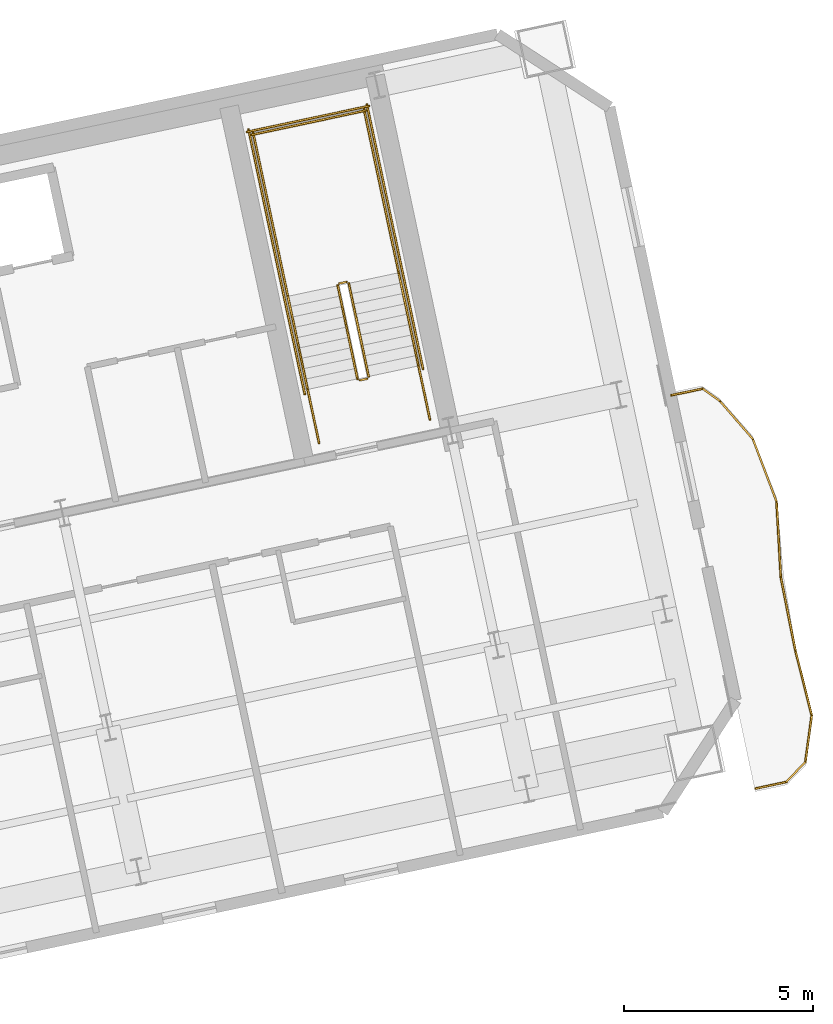
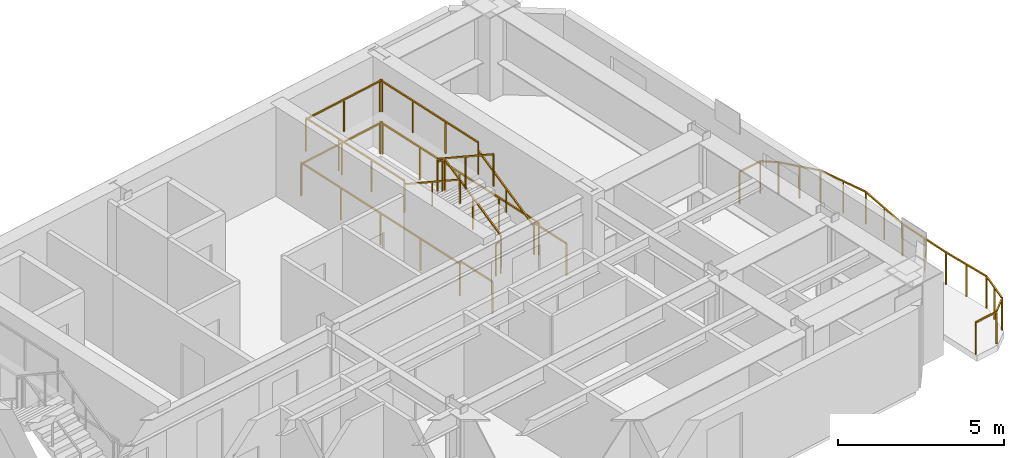
# One storey, part 15 of 15: 24 railings.
"""IFC4 building model written with IfcOpenShell, lengths in metres."""

from ifc_helpers import new_model, si_unit, direction, frame, origin, origin_2d, place, context, subcontext, project, spatial, rectangle, extrude, material, type_object, element, save


model = new_model("IFC4")

# Units and contexts
model_context = context("Model", 3, precision=1e-05, world=origin(), true_north=direction((0.0, 1.0)))
body_context = subcontext(model_context, "Body", "Model", "MODEL_VIEW")
ifc_project = project(units=[si_unit("LENGTHUNIT", "METRE"), si_unit("AREAUNIT", "SQUARE_METRE"), si_unit("VOLUMEUNIT", "CUBIC_METRE"), si_unit("PLANEANGLEUNIT", "RADIAN"), si_unit("MASSUNIT", "GRAM", prefix="KILO")], contexts=[model_context])

# Site, building, storey
site_placement = place(None, origin())
site = spatial("IfcSite", under=ifc_project, at=site_placement, CompositionType="ELEMENT")
building_placement = place(site_placement, origin())
building = spatial("IfcBuilding", under=site, at=building_placement, Name="Haevon Station Towers", CompositionType="ELEMENT")
storey_placement = place(building_placement, frame((0.0, 0.0, 152.699951171875)))
storey = spatial("IfcBuildingStorey", under=building, at=storey_placement, Name="L41", CompositionType="ELEMENT", Elevation=152.699951171875)

# Railings
ifc_material = material(Name="Steel S355", Category="steel")
railing_type_1 = type_object("IfcRailingType", Name="GRD-EXT1200", PredefinedType="GUARDRAIL", material=ifc_material)
railing_1_placement = place(storey_placement, frame((127.363525390625, 32.332275390625, 0.0)))
element("IfcRailing", 1, at=railing_1_placement, inside=storey, type_object=railing_type_1, Name="L41 Perimeter Guardrail 1", PredefinedType="GUARDRAIL", context=body_context, shape_type="SweptSolid", body=[
    extrude(rectangle(XDim=0.048095703125, YDim=0.048095703125, at=origin_2d()), frame((0.0, 0.0, 1.17578125), z_axis=(0.977691431104, 0.210046341426, 0.0), x_axis=(-0.210046341426, 0.977691431104, 0.0)), (0.0, 0.0, 1.0), 0.838134765625),
    extrude(rectangle(XDim=0.0419921875, YDim=0.0419921875, at=origin_2d()), origin(), (0.0, 0.0, 1.0), 1.15185546875),
    extrude(rectangle(XDim=0.0419921875, YDim=0.0419921875, at=origin_2d()), frame((0.8193359375, 0.176025390625, 0.0)), (0.0, 0.0, 1.0), 1.15185546875),
])
railing_2_placement = place(storey_placement, frame((128.182861328125, 32.50830078125, 0.0)))
element("IfcRailing", 2, at=railing_2_placement, inside=storey, type_object=railing_type_1, Name="L41 Perimeter Guardrail 2", PredefinedType="GUARDRAIL", context=body_context, shape_type="SweptSolid", body=[
    extrude(rectangle(XDim=0.048095703125, YDim=0.048095703125, at=origin_2d()), frame((0.0, 0.0, 1.17578125), z_axis=(0.691397132997, 0.722474916162, 0.0), x_axis=(-0.722474916162, 0.691397132997, 0.0)), (0.0, 0.0, 1.0), 0.73046875),
    extrude(rectangle(XDim=0.0419921875, YDim=0.0419921875, at=origin_2d()), origin(), (0.0, 0.0, 1.0), 1.15185546875),
    extrude(rectangle(XDim=0.0419921875, YDim=0.0419921875, at=origin_2d()), frame((0.505126953125, 0.52783203125, 0.0)), (0.0, 0.0, 1.0), 1.15185546875),
])
railing_3_placement = place(storey_placement, frame((128.68798828125, 33.0361328125, 0.0)))
element("IfcRailing", 3, at=railing_3_placement, inside=storey, type_object=railing_type_1, Name="L41 Perimeter Guardrail 3", PredefinedType="GUARDRAIL", context=body_context, shape_type="SweptSolid", body=[
    extrude(rectangle(XDim=0.048095703125, YDim=0.048095703125, at=origin_2d()), frame((0.0, 0.0, 1.17578125), z_axis=(0.134402916538, 0.990926766228, 0.0), x_axis=(-0.990926766228, 0.134402916538, 0.0)), (0.0, 0.0, 1.0), 1.242431640625),
    extrude(rectangle(XDim=0.0419921875, YDim=0.0419921875, at=origin_2d()), origin(), (0.0, 0.0, 1.0), 1.15185546875),
    extrude(rectangle(XDim=0.0419921875, YDim=0.0419921875, at=origin_2d()), frame((0.08349609375, 0.61572265625, 0.0)), (0.0, 0.0, 1.0), 1.15185546875),
    extrude(rectangle(XDim=0.0419921875, YDim=0.0419921875, at=origin_2d()), frame((0.1669921875, 1.231201171875, 0.0)), (0.0, 0.0, 1.0), 1.15185546875),
])
railing_4_placement = place(storey_placement, frame((128.85498046875, 34.267333984375, 0.0)))
element("IfcRailing", 4, at=railing_4_placement, inside=storey, type_object=railing_type_1, Name="L41 Perimeter Guardrail 4", PredefinedType="GUARDRAIL", context=body_context, shape_type="SweptSolid", body=[
    extrude(rectangle(XDim=0.048095703125, YDim=0.048095703125, at=origin_2d()), frame((0.0, 0.0, 1.17578125), z_axis=(-0.243814635362, 0.969821851467, 0.0), x_axis=(-0.969821851467, -0.243814635362, 0.0)), (0.0, 0.0, 1.0), 1.751220703125),
    extrude(rectangle(XDim=0.0419921875, YDim=0.0419921875, at=origin_2d()), origin(), (0.0, 0.0, 1.0), 1.15185546875),
    extrude(rectangle(XDim=0.0419921875, YDim=0.0419921875, at=origin_2d()), frame((-0.21337890625, 0.84912109375, 0.0)), (0.0, 0.0, 1.0), 1.15185546875),
    extrude(rectangle(XDim=0.0419921875, YDim=0.0419921875, at=origin_2d()), frame((-0.427001953125, 1.698486328125, 0.0)), (0.0, 0.0, 1.0), 1.15185546875),
])
railing_5_placement = place(storey_placement, frame((128.427978515625, 35.9658203125, 0.0)))
element("IfcRailing", 5, at=railing_5_placement, inside=storey, type_object=railing_type_1, Name="L41 Perimeter Guardrail 5", PredefinedType="GUARDRAIL", context=body_context, shape_type="SweptSolid", body=[
    extrude(rectangle(XDim=0.048095703125, YDim=0.048095703125, at=origin_2d()), frame((0.0, 0.0, 1.17578125), z_axis=(-0.195360913035, 0.980731417697, 0.0), x_axis=(-0.980731417697, -0.195360913035, 0.0)), (0.0, 0.0, 1.0), 1.989501953125),
    extrude(rectangle(XDim=0.0419921875, YDim=0.0419921875, at=origin_2d()), origin(), (0.0, 0.0, 1.0), 1.15185546875),
    extrude(rectangle(XDim=0.0419921875, YDim=0.0419921875, at=origin_2d()), frame((-0.1943359375, 0.9755859375, 0.0)), (0.0, 0.0, 1.0), 1.15185546875),
    extrude(rectangle(XDim=0.0419921875, YDim=0.0419921875, at=origin_2d()), frame((-0.388671875, 1.951171875, 0.0)), (0.0, 0.0, 1.0), 1.15185546875),
])
railing_6_placement = place(storey_placement, frame((128.039306640625, 37.9169921875, 0.0)))
element("IfcRailing", 6, at=railing_6_placement, inside=storey, type_object=railing_type_1, Name="L41 Perimeter Guardrail 6", PredefinedType="GUARDRAIL", context=body_context, shape_type="SweptSolid", body=[
    extrude(rectangle(XDim=0.048095703125, YDim=0.048095703125, at=origin_2d()), frame((0.0, 0.0, 1.17578125), z_axis=(-0.056904973514, 0.998379599145, 0.0), x_axis=(-0.998379599145, -0.056904973514, 0.0)), (0.0, 0.0, 1.0), 2.016357421875),
    extrude(rectangle(XDim=0.0419921875, YDim=0.0419921875, at=origin_2d()), origin(), (0.0, 0.0, 1.0), 1.15185546875),
    extrude(rectangle(XDim=0.0419921875, YDim=0.0419921875, at=origin_2d()), frame((-0.057373046875, 1.006591796875, 0.0)), (0.0, 0.0, 1.0), 1.15185546875),
    extrude(rectangle(XDim=0.0419921875, YDim=0.0419921875, at=origin_2d()), frame((-0.11474609375, 2.01318359375, 0.0)), (0.0, 0.0, 1.0), 1.15185546875),
])
railing_7_placement = place(storey_placement, frame((127.924560546875, 39.93017578125, 0.0)))
element("IfcRailing", 7, at=railing_7_placement, inside=storey, type_object=railing_type_1, Name="L41 Perimeter Guardrail 7", PredefinedType="GUARDRAIL", context=body_context, shape_type="SweptSolid", body=[
    extrude(rectangle(XDim=0.048095703125, YDim=0.048095703125, at=origin_2d()), frame((0.0, 0.0, 1.17578125), z_axis=(-0.353500001833, 0.935434524007, 0.0), x_axis=(-0.935434524007, -0.353500001833, 0.0)), (0.0, 0.0, 1.0), 1.7666015625),
    extrude(rectangle(XDim=0.0419921875, YDim=0.0419921875, at=origin_2d()), origin(), (0.0, 0.0, 1.0), 1.15185546875),
    extrude(rectangle(XDim=0.0419921875, YDim=0.0419921875, at=origin_2d()), frame((-0.312255859375, 0.826171875, 0.0)), (0.0, 0.0, 1.0), 1.15185546875),
    extrude(rectangle(XDim=0.0419921875, YDim=0.0419921875, at=origin_2d()), frame((-0.62451171875, 1.652587890625, 0.0)), (0.0, 0.0, 1.0), 1.15185546875),
])
railing_8_placement = place(storey_placement, frame((127.300048828125, 41.582763671875, 0.0)))
element("IfcRailing", 8, at=railing_8_placement, inside=storey, type_object=railing_type_1, Name="L41 Perimeter Guardrail 8", PredefinedType="GUARDRAIL", context=body_context, shape_type="SweptSolid", body=[
    extrude(rectangle(XDim=0.048095703125, YDim=0.048095703125, at=origin_2d()), frame((0.0, 0.0, 1.17578125), z_axis=(-0.654965324593, 0.755658933369, 0.0), x_axis=(-0.755658933369, -0.654965324593, 0.0)), (0.0, 0.0, 1.0), 1.3359375),
    extrude(rectangle(XDim=0.0419921875, YDim=0.0419921875, at=origin_2d()), origin(), (0.0, 0.0, 1.0), 1.15185546875),
    extrude(rectangle(XDim=0.0419921875, YDim=0.0419921875, at=origin_2d()), frame((-0.4375, 0.5048828125, 0.0)), (0.0, 0.0, 1.0), 1.15185546875),
    extrude(rectangle(XDim=0.0419921875, YDim=0.0419921875, at=origin_2d()), frame((-0.875, 1.009521484375, 0.0)), (0.0, 0.0, 1.0), 1.15185546875),
])
railing_9_placement = place(storey_placement, frame((126.425048828125, 42.59228515625, 0.0)))
element("IfcRailing", 9, at=railing_9_placement, inside=storey, type_object=railing_type_1, Name="L41 Perimeter Guardrail 9", PredefinedType="GUARDRAIL", context=body_context, shape_type="SweptSolid", body=[
    extrude(rectangle(XDim=0.048095703125, YDim=0.048095703125, at=origin_2d()), frame((0.0, 0.0, 1.17578125), z_axis=(-0.814353577604, 0.580369064168, 0.0), x_axis=(-0.580369064168, -0.814353577604, 0.0)), (0.0, 0.0, 1.0), 0.55810546875),
    extrude(rectangle(XDim=0.0419921875, YDim=0.0419921875, at=origin_2d()), origin(), (0.0, 0.0, 1.0), 1.15185546875),
    extrude(rectangle(XDim=0.0419921875, YDim=0.0419921875, at=origin_2d()), frame((-0.45458984375, 0.323974609375, 0.0)), (0.0, 0.0, 1.0), 1.15185546875),
])
railing_10_placement = place(storey_placement, frame((125.970458984375, 42.916259765625, 0.0)))
element("IfcRailing", 10, at=railing_10_placement, inside=storey, type_object=railing_type_1, Name="L41 Perimeter Guardrail 10", PredefinedType="GUARDRAIL", context=body_context, shape_type="SweptSolid", body=[
    extrude(rectangle(XDim=0.048095703125, YDim=0.048095703125, at=origin_2d()), frame((0.0, 0.0, 1.17578125), z_axis=(-0.978617737227, -0.20568744343, 0.0), x_axis=(0.20568744343, -0.978617737227, 0.0)), (0.0, 0.0, 1.0), 0.837890625),
    extrude(rectangle(XDim=0.0419921875, YDim=0.0419921875, at=origin_2d()), origin(), (0.0, 0.0, 1.0), 1.15185546875),
    extrude(rectangle(XDim=0.0419921875, YDim=0.0419921875, at=origin_2d()), frame((-0.820068359375, -0.17236328125, 0.0)), (0.0, 0.0, 1.0), 1.15185546875),
])
railing_type_2 = type_object("IfcRailingType", Name="GRD-STR1200", PredefinedType="GUARDRAIL", material=ifc_material)
railing_11_placement = place(storey_placement, frame((117.128662109375, 43.23974609375, 0.1650390625)))
element("IfcRailing", 11, at=railing_11_placement, inside=storey, type_object=railing_type_2, Name="L41 ST4 Stair Guard 1", PredefinedType="GUARDRAIL", context=body_context, shape_type="SweptSolid", body=[
    extrude(rectangle(XDim=0.048095703125, YDim=0.048095703125, at=origin_2d()), frame((0.0, 0.0, 1.17578125), z_axis=(-0.179121265225, 0.842687928106, 0.507732831485), x_axis=(-0.978147030254, -0.207914374695, 0.0)), (0.0, 0.0, 1.0), 2.925048828125),
    extrude(rectangle(XDim=0.0419921875, YDim=0.0419921875, at=origin_2d()), origin(), (0.0, 0.0, 1.0), 1.15185546875),
    extrude(rectangle(XDim=0.0419921875, YDim=0.0419921875, at=origin_2d()), frame((-0.261962890625, 1.232421875, 0.74267578125)), (0.0, 0.0, 1.0), 1.15185546875),
    extrude(rectangle(XDim=0.0419921875, YDim=0.0419921875, at=origin_2d()), frame((-0.52392578125, 2.46484375, 1.485107421875)), (0.0, 0.0, 1.0), 1.15185546875),
])
railing_12_placement = place(storey_placement, frame((116.54541015625, 45.7431640625, 1.650146484375)))
element("IfcRailing", 12, at=railing_12_placement, inside=storey, type_object=railing_type_2, Name="L41 ST4 Stair Guard 2", PredefinedType="GUARDRAIL", context=body_context, shape_type="SweptSolid", body=[
    extrude(rectangle(XDim=0.048095703125, YDim=0.048095703125, at=origin_2d()), frame((0.0, 0.0, 1.17578125), z_axis=(-0.97826412705, -0.207362720198, 0.0), x_axis=(0.207362720198, -0.97826412705, 0.0)), (0.0, 0.0, 1.0), 0.2001953125),
    extrude(rectangle(XDim=0.0419921875, YDim=0.0419921875, at=origin_2d()), origin(), (0.0, 0.0, 1.0), 1.15185546875),
    extrude(rectangle(XDim=0.0419921875, YDim=0.0419921875, at=origin_2d()), frame((-0.19580078125, -0.04150390625, 0.0)), (0.0, 0.0, 1.0), 1.15185546875),
])
railing_13_placement = place(storey_placement, frame((117.925048828125, 45.9853515625, 1.650146484375)))
element("IfcRailing", 13, at=railing_13_placement, inside=storey, type_object=railing_type_2, Name="L41 ST4 Stair Guard 3", PredefinedType="GUARDRAIL", context=body_context, shape_type="SweptSolid", body=[
    extrude(rectangle(XDim=0.048095703125, YDim=0.048095703125, at=origin_2d()), frame((0.0, 0.0, 1.17578125), z_axis=(-0.207876551949, 0.978155069071, 0.0), x_axis=(-0.978155069071, -0.207876551949, 0.0)), (0.0, 0.0, 1.0), 4.429931640625),
    extrude(rectangle(XDim=0.0419921875, YDim=0.0419921875, at=origin_2d()), origin(), (0.0, 0.0, 1.0), 1.15185546875),
    extrude(rectangle(XDim=0.0419921875, YDim=0.0419921875, at=origin_2d()), frame((-0.306884765625, 1.4443359375, 0.0)), (0.0, 0.0, 1.0), 1.15185546875),
    extrude(rectangle(XDim=0.0419921875, YDim=0.0419921875, at=origin_2d()), frame((-0.614013671875, 2.888916015625, 0.0)), (0.0, 0.0, 1.0), 1.15185546875),
    extrude(rectangle(XDim=0.0419921875, YDim=0.0419921875, at=origin_2d()), frame((-0.9208984375, 4.333251953125, 0.0)), (0.0, 0.0, 1.0), 1.15185546875),
])
railing_14_placement = place(storey_placement, frame((114.99072265625, 45.361572265625, 1.650146484375)))
element("IfcRailing", 14, at=railing_14_placement, inside=storey, type_object=railing_type_2, Name="L41 ST4 Stair Guard 4", PredefinedType="GUARDRAIL", context=body_context, shape_type="SweptSolid", body=[
    extrude(rectangle(XDim=0.048095703125, YDim=0.048095703125, at=origin_2d()), frame((0.0, 0.0, 1.17578125), z_axis=(-0.207929280007, 0.978143861871, 0.0), x_axis=(-0.978143861871, -0.207929280007, 0.0)), (0.0, 0.0, 1.0), 4.43017578125),
    extrude(rectangle(XDim=0.0419921875, YDim=0.0419921875, at=origin_2d()), origin(), (0.0, 0.0, 1.0), 1.15185546875),
    extrude(rectangle(XDim=0.0419921875, YDim=0.0419921875, at=origin_2d()), frame((-0.30712890625, 1.4443359375, 0.0)), (0.0, 0.0, 1.0), 1.15185546875),
    extrude(rectangle(XDim=0.0419921875, YDim=0.0419921875, at=origin_2d()), frame((-0.614013671875, 2.888916015625, 0.0)), (0.0, 0.0, 1.0), 1.15185546875),
    extrude(rectangle(XDim=0.0419921875, YDim=0.0419921875, at=origin_2d()), frame((-0.921142578125, 4.333251953125, 0.0)), (0.0, 0.0, 1.0), 1.15185546875),
])
railing_15_placement = place(storey_placement, frame((117.0634765625, 50.280029296875, 1.650146484375)))
element("IfcRailing", 15, at=railing_15_placement, inside=storey, type_object=railing_type_2, Name="L41 ST4 Stair Guard 5", PredefinedType="GUARDRAIL", context=body_context, shape_type="SweptSolid", body=[
    extrude(rectangle(XDim=0.048095703125, YDim=0.048095703125, at=origin_2d()), frame((0.0, 0.0, 1.17578125), z_axis=(-0.978146839882, -0.207915270313, 0.0), x_axis=(0.207915270313, -0.978146839882, 0.0)), (0.0, 0.0, 1.0), 3.099853515625),
    extrude(rectangle(XDim=0.0419921875, YDim=0.0419921875, at=origin_2d()), origin(), (0.0, 0.0, 1.0), 1.15185546875),
    extrude(rectangle(XDim=0.0419921875, YDim=0.0419921875, at=origin_2d()), frame((-1.51611328125, -0.322265625, 0.0)), (0.0, 0.0, 1.0), 1.15185546875),
    extrude(rectangle(XDim=0.0419921875, YDim=0.0419921875, at=origin_2d()), frame((-3.0322265625, -0.64453125, 0.0)), (0.0, 0.0, 1.0), 1.15185546875),
])
railing_16_placement = place(storey_placement, frame((116.311279296875, 45.642333984375, 1.81494140625)))
element("IfcRailing", 16, at=railing_16_placement, inside=storey, type_object=railing_type_2, Name="L41 ST4 Stair Guard 6", PredefinedType="GUARDRAIL", context=body_context, shape_type="SweptSolid", body=[
    extrude(rectangle(XDim=0.048095703125, YDim=0.048095703125, at=origin_2d()), frame((0.0, 0.0, 1.17578125), z_axis=(0.179108667068, -0.842712120868, 0.50769712105), x_axis=(0.978151217824, 0.207894673017, 0.0)), (0.0, 0.0, 1.0), 2.92529296875),
    extrude(rectangle(XDim=0.0419921875, YDim=0.0419921875, at=origin_2d()), origin(), (0.0, 0.0, 1.0), 1.15185546875),
    extrude(rectangle(XDim=0.0419921875, YDim=0.0419921875, at=origin_2d()), frame((0.261962890625, -1.232421875, 0.74267578125)), (0.0, 0.0, 1.0), 1.15185546875),
    extrude(rectangle(XDim=0.0419921875, YDim=0.0419921875, at=origin_2d()), frame((0.52392578125, -2.465087890625, 1.485107421875)), (0.0, 0.0, 1.0), 1.15185546875),
])
railing_17_placement = place(storey_placement, frame((117.090087890625, 43.180419921875, 0.0)))
element("IfcRailing", 17, at=railing_17_placement, inside=storey, type_object=railing_type_2, Name="L41 ST4 Stair Guard 7", PredefinedType="GUARDRAIL", context=body_context, shape_type="SweptSolid", body=[
    extrude(rectangle(XDim=0.048095703125, YDim=0.048095703125, at=origin_2d()), frame((0.0, 0.0, 1.17578125), z_axis=(-0.978211583308, -0.207610448392, 0.0), x_axis=(0.207610448392, -0.978211583308, 0.0)), (0.0, 0.0, 1.0), 0.199951171875),
    extrude(rectangle(XDim=0.0419921875, YDim=0.0419921875, at=origin_2d()), origin(), (0.0, 0.0, 1.0), 1.15185546875),
    extrude(rectangle(XDim=0.0419921875, YDim=0.0419921875, at=origin_2d()), frame((-0.195556640625, -0.04150390625, 0.0)), (0.0, 0.0, 1.0), 1.15185546875),
])
for number, where, name in (
    (18, (118.75048828125, 42.10205078125, 0.0), "L41 ST4 Stair Guard 8"),
    (19, (115.816162109375, 41.478271484375, 0.0), "L41 ST4 Stair Guard 9"),
):
    element("IfcRailing", number, at=place(storey_placement, frame(where)), inside=storey, type_object=railing_type_2, Name=name, PredefinedType="GUARDRAIL", context=body_context, shape_type="SweptSolid", body=[
        extrude(rectangle(XDim=0.048095703125, YDim=0.048095703125, at=origin_2d()), frame((0.0, 0.0, 1.17578125), z_axis=(-0.207919161079, 0.978146012851, 0.0), x_axis=(-0.978146012851, -0.207919161079, 0.0)), (0.0, 0.0, 1.0), 1.4501953125),
        extrude(rectangle(XDim=0.0419921875, YDim=0.0419921875, at=origin_2d()), origin(), (0.0, 0.0, 1.0), 1.15185546875),
        extrude(rectangle(XDim=0.0419921875, YDim=0.0419921875, at=origin_2d()), frame((-0.301513671875, 1.41845703125, 0.0)), (0.0, 0.0, 1.0), 1.15185546875),
    ])
railing_18_placement = place(storey_placement, frame((118.567626953125, 43.443359375, 0.0)))
element("IfcRailing", 20, at=railing_18_placement, inside=storey, type_object=railing_type_2, Name="L41 ST4 Stair Guard 10", PredefinedType="GUARDRAIL", context=body_context, shape_type="SweptSolid", body=[
    extrude(rectangle(XDim=0.048095703125, YDim=0.048095703125, at=origin_2d()), frame((0.0, 0.0, 1.17578125), z_axis=(-0.207908168386, 0.978148349443, 0.0), x_axis=(-0.978148349443, -0.207908168386, 0.0)), (0.0, 0.0, 1.0), 7.150146484375),
    extrude(rectangle(XDim=0.0419921875, YDim=0.0419921875, at=origin_2d()), origin(), (0.0, 0.0, 1.0), 1.15185546875),
    extrude(rectangle(XDim=0.0419921875, YDim=0.0419921875, at=origin_2d()), frame((-0.37158203125, 1.74853515625, 0.0)), (0.0, 0.0, 1.0), 1.15185546875),
    extrude(rectangle(XDim=0.0419921875, YDim=0.0419921875, at=origin_2d()), frame((-0.7431640625, 3.4970703125, 0.0)), (0.0, 0.0, 1.0), 1.15185546875),
    extrude(rectangle(XDim=0.0419921875, YDim=0.0419921875, at=origin_2d()), frame((-1.114990234375, 5.245361328125, 0.0)), (0.0, 0.0, 1.0), 1.15185546875),
    extrude(rectangle(XDim=0.0419921875, YDim=0.0419921875, at=origin_2d()), frame((-1.486572265625, 6.993896484375, 0.0)), (0.0, 0.0, 1.0), 1.15185546875),
])
railing_19_placement = place(storey_placement, frame((115.4375, 42.778076171875, 0.0)))
element("IfcRailing", 21, at=railing_19_placement, inside=storey, type_object=railing_type_2, Name="L41 ST4 Stair Guard 11", PredefinedType="GUARDRAIL", context=body_context, shape_type="SweptSolid", body=[
    extrude(rectangle(XDim=0.048095703125, YDim=0.048095703125, at=origin_2d()), frame((0.0, 0.0, 1.17578125), z_axis=(-0.207882442208, 0.978153817261, 0.0), x_axis=(-0.978153817261, -0.207882442208, 0.0)), (0.0, 0.0, 1.0), 7.14990234375),
    extrude(rectangle(XDim=0.0419921875, YDim=0.0419921875, at=origin_2d()), origin(), (0.0, 0.0, 1.0), 1.15185546875),
    extrude(rectangle(XDim=0.0419921875, YDim=0.0419921875, at=origin_2d()), frame((-0.37158203125, 1.74853515625, 0.0)), (0.0, 0.0, 1.0), 1.15185546875),
    extrude(rectangle(XDim=0.0419921875, YDim=0.0419921875, at=origin_2d()), frame((-0.7431640625, 3.496826171875, 0.0)), (0.0, 0.0, 1.0), 1.15185546875),
    extrude(rectangle(XDim=0.0419921875, YDim=0.0419921875, at=origin_2d()), frame((-1.11474609375, 5.2451171875, 0.0)), (0.0, 0.0, 1.0), 1.15185546875),
    extrude(rectangle(XDim=0.0419921875, YDim=0.0419921875, at=origin_2d()), frame((-1.486328125, 6.99365234375, 0.0)), (0.0, 0.0, 1.0), 1.15185546875),
])
railing_20_placement = place(storey_placement, frame((117.140380859375, 50.398681640625, 0.0)))
element("IfcRailing", 22, at=railing_20_placement, inside=storey, type_object=railing_type_2, Name="L41 ST4 Stair Guard 12", PredefinedType="GUARDRAIL", context=body_context, shape_type="SweptSolid", body=[
    extrude(rectangle(XDim=0.048095703125, YDim=0.048095703125, at=origin_2d()), frame((0.0, 0.0, 1.17578125), z_axis=(-0.978135717418, -0.207967589567, 0.0), x_axis=(0.207967589567, -0.978135717418, 0.0)), (0.0, 0.0, 1.0), 3.300048828125),
    extrude(rectangle(XDim=0.0419921875, YDim=0.0419921875, at=origin_2d()), origin(), (0.0, 0.0, 1.0), 1.15185546875),
    extrude(rectangle(XDim=0.0419921875, YDim=0.0419921875, at=origin_2d()), frame((-1.61376953125, -0.34326171875, 0.0)), (0.0, 0.0, 1.0), 1.15185546875),
    extrude(rectangle(XDim=0.0419921875, YDim=0.0419921875, at=origin_2d()), frame((-3.227783203125, -0.686279296875, 0.0)), (0.0, 0.0, 1.0), 1.15185546875),
])
railing_type_3 = type_object("IfcRailingType", Name="HND-STR900", PredefinedType="HANDRAIL", material=ifc_material)
railing_21_placement = place(storey_placement, frame((118.448974609375, 43.5205078125, 0.1650390625)))
element("IfcRailing", 23, at=railing_21_placement, inside=storey, type_object=railing_type_3, Name="L41 ST4 Stair Handrail 1", PredefinedType="HANDRAIL", context=body_context, shape_type="SweptSolid", body=[
    extrude(rectangle(XDim=0.048095703125, YDim=0.048095703125, at=origin_2d()), frame((0.0, 0.0, 0.8759765625), z_axis=(-0.179121265225, 0.842687928106, 0.507732831485), x_axis=(-0.978147030254, -0.207914374695, 0.0)), (0.0, 0.0, 1.0), 2.925048828125),
    extrude(rectangle(XDim=0.0419921875, YDim=0.0419921875, at=origin_2d()), origin(), (0.0, 0.0, 1.0), 0.851806640625),
    extrude(rectangle(XDim=0.0419921875, YDim=0.0419921875, at=origin_2d()), frame((-0.261962890625, 1.232421875, 0.74267578125)), (0.0, 0.0, 1.0), 0.851806640625),
    extrude(rectangle(XDim=0.0419921875, YDim=0.0419921875, at=origin_2d()), frame((-0.52392578125, 2.46484375, 1.485107421875)), (0.0, 0.0, 1.0), 0.851806640625),
])
railing_22_placement = place(storey_placement, frame((114.99072265625, 45.361572265625, 1.81494140625)))
element("IfcRailing", 24, at=railing_22_placement, inside=storey, type_object=railing_type_3, Name="L41 ST4 Stair Handrail 2", PredefinedType="HANDRAIL", context=body_context, shape_type="SweptSolid", body=[
    extrude(rectangle(XDim=0.048095703125, YDim=0.048095703125, at=origin_2d()), frame((0.0, 0.0, 0.8759765625), z_axis=(0.179121265225, -0.842687928106, 0.507732831485), x_axis=(0.978147030254, 0.207914374695, 0.0)), (0.0, 0.0, 1.0), 2.925048828125),
    extrude(rectangle(XDim=0.0419921875, YDim=0.0419921875, at=origin_2d()), origin(), (0.0, 0.0, 1.0), 0.851806640625),
    extrude(rectangle(XDim=0.0419921875, YDim=0.0419921875, at=origin_2d()), frame((0.261962890625, -1.232421875, 0.74267578125)), (0.0, 0.0, 1.0), 0.851806640625),
    extrude(rectangle(XDim=0.0419921875, YDim=0.0419921875, at=origin_2d()), frame((0.52392578125, -2.46484375, 1.485107421875)), (0.0, 0.0, 1.0), 0.851806640625),
])

save(model, "model.ifc")
